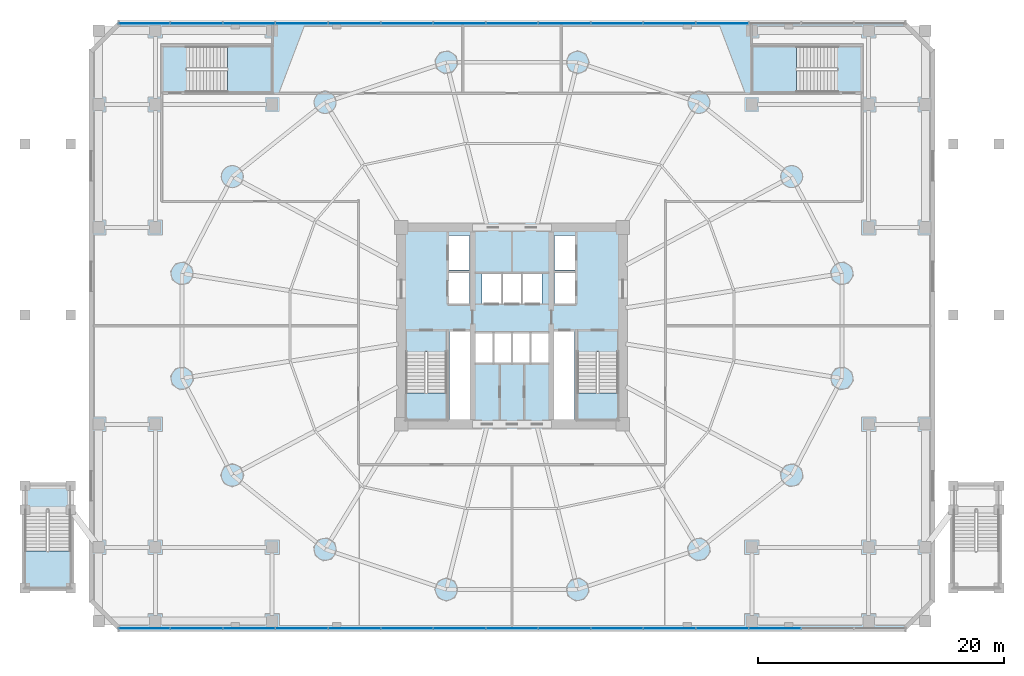
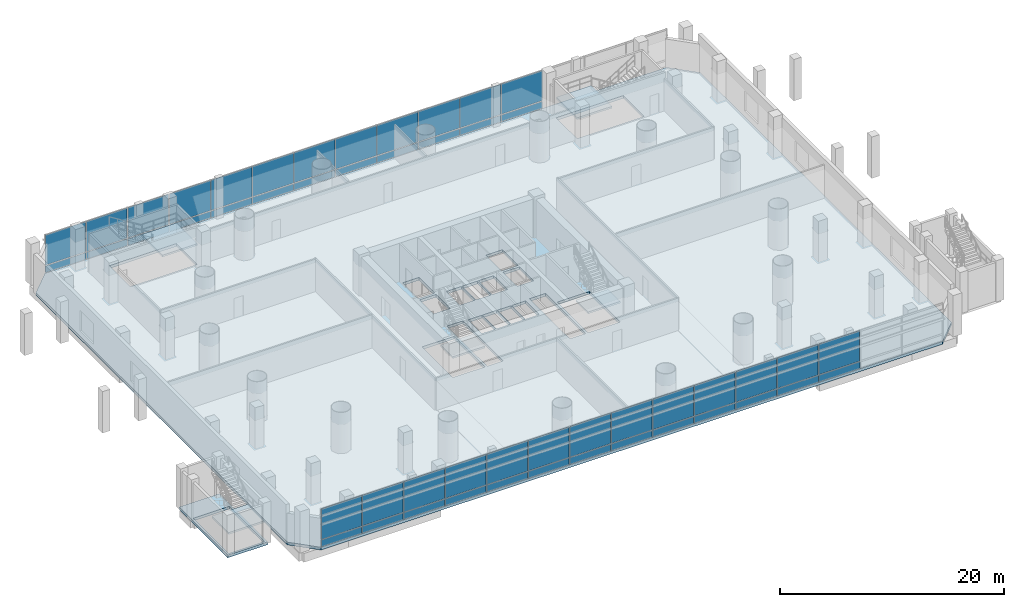
# One storey, part 19 of 36: 50 plates, 7 slabs, 7 elements without a shape of their own.
"""IFC4 building model written with IfcOpenShell, lengths in metres."""

import ifcopenshell
import ifcopenshell.guid

model = None  # the IFC model being written
_history = None  # IfcOwnerHistory: only IFC2X3 demands one
_inside = {}  # id of a spatial element -> (the spatial element, [elements in it])
_under = {}  # id of a project, library or spatial element -> (it, [spatial elements below it])
_declared = {}  # id of a project -> (the project, [libraries it declares])
_typed = {}  # id of a type object -> (the type object, [elements of that type])
_made_of = {}  # id of a material, layer set ... -> (it, [elements and type objects made of it])


def new_model(schema):
    """Start an empty IFC model of exactly this schema.

    Asked for "IFC4X3", IfcOpenShell would pick the latest addendum, in which some entities
    have other attributes; the version numbers below select the first issue.
    IFC2X3 requires an IfcOwnerHistory on every rooted entity: one is made here for all.
    """
    global model, _history
    if schema == "IFC4X3":
        model = ifcopenshell.file(schema_version=(4, 3, 0, 0))
    else:
        model = ifcopenshell.file(schema=schema)
    _inside.clear()
    _under.clear()
    _declared.clear()
    _typed.clear()
    _made_of.clear()
    _history = None
    if model.schema == "IFC2X3":
        org = make("IfcOrganization", Name="unknown")
        user = make(
            "IfcPersonAndOrganization",
            ThePerson=make("IfcPerson", FamilyName="unknown"),
            TheOrganization=org,
        )
        app = make(
            "IfcApplication",
            ApplicationDeveloper=org,
            Version="unknown",
            ApplicationFullName="unknown",
            ApplicationIdentifier="unknown",
        )
        _history = make(
            "IfcOwnerHistory",
            OwningUser=user,
            OwningApplication=app,
            ChangeAction="ADDED",
            CreationDate=0,
        )
    return model


def make(cls, **values):
    """One entity of the class cls with the attributes given. An attribute that is None is left unset."""
    return model.create_entity(
        cls, **{name: value for name, value in values.items() if value is not None}
    )


def rooted(cls, **values):
    """An entity with a GlobalId (a new one), such as an element, a storey or a relation."""
    return make(cls, GlobalId=ifcopenshell.guid.new(), OwnerHistory=_history, **values)


def si_unit(unit_type, name, prefix=None):
    """IfcSIUnit, for example si_unit("LENGTHUNIT", "METRE", prefix="MILLI")."""
    return make("IfcSIUnit", UnitType=unit_type, Prefix=prefix, Name=name)


def assignment(units):
    """IfcUnitAssignment: the units of a project."""
    return None if units is None else make("IfcUnitAssignment", Units=units)


def point(xyz):
    """IfcCartesianPoint."""
    return None if xyz is None else make("IfcCartesianPoint", Coordinates=xyz)


def direction(xyz):
    """IfcDirection."""
    return None if xyz is None else make("IfcDirection", DirectionRatios=xyz)


def frame(location, z_axis=None, x_axis=None):
    """IfcAxis2Placement3D, a coordinate frame: its origin and axes. An axis left out is left unset."""
    return make(
        "IfcAxis2Placement3D",
        Location=point(location),
        Axis=direction(z_axis),
        RefDirection=direction(x_axis),
    )


def frame_2d(location, x_axis=None):
    """IfcAxis2Placement2D, a coordinate frame in the plane: its origin and x axis."""
    return make(
        "IfcAxis2Placement2D", Location=point(location), RefDirection=direction(x_axis)
    )


def origin():
    """The frame at (0, 0, 0) with its axes left unset."""
    return frame((0.0, 0.0, 0.0))


def origin_2d():
    """The frame at (0, 0) in the plane with its x axis left unset."""
    return frame_2d((0.0, 0.0))


def place(relative_to, where):
    """IfcLocalPlacement: puts the frame where relative to a parent placement (None: the world)."""
    return make(
        "IfcLocalPlacement", PlacementRelTo=relative_to, RelativePlacement=where
    )


def context(
    kind, dimensions, precision=None, world=None, true_north=None, identifier=None
):
    """IfcGeometricRepresentationContext, for example the 3D "Model" context."""
    return make(
        "IfcGeometricRepresentationContext",
        ContextIdentifier=identifier,
        ContextType=kind,
        CoordinateSpaceDimension=dimensions,
        Precision=precision,
        WorldCoordinateSystem=world,
        TrueNorth=true_north,
    )


def subcontext(parent, identifier, kind, view, scale=None):
    """IfcGeometricRepresentationSubContext, for example "Body" below "Model"."""
    return make(
        "IfcGeometricRepresentationSubContext",
        ContextIdentifier=identifier,
        ContextType=kind,
        ParentContext=parent,
        TargetScale=scale,
        TargetView=view,
    )


def project(units=None, contexts=None):
    """IfcProject with its units and contexts."""
    return rooted(
        "IfcProject",
        Name="project",
        RepresentationContexts=contexts,
        UnitsInContext=assignment(units),
    )


def spatial(cls, under=None, at=None, **own):
    """A site, building, storey or space (cls), placed at a placement, below another one or the project."""
    s = rooted(cls, ObjectPlacement=at, **own)
    if under is not None:
        _under.setdefault(under.id(), (under, []))[1].append(s)
    return s


def polyline(points):
    """IfcPolyline through the points."""
    return make("IfcPolyline", Points=[point(p) for p in points])


def profile(cls, at=None, kind="AREA", **sizes):
    """A parametric profile (cls). Its sizes go by their IFC names, for example OverallWidth=200.0."""
    return make(cls, ProfileType=kind, Position=at, **sizes)


def rectangle(**sizes):
    """IfcRectangleProfileDef."""
    return profile("IfcRectangleProfileDef", **sizes)


def outline(outer, holes=None, kind="AREA"):
    """IfcArbitraryClosedProfileDef: a profile drawn as a closed curve; with holes, ...WithVoids."""
    if holes is None:
        return make("IfcArbitraryClosedProfileDef", ProfileType=kind, OuterCurve=outer)
    return make(
        "IfcArbitraryProfileDefWithVoids",
        ProfileType=kind,
        OuterCurve=outer,
        InnerCurves=holes,
    )


def extrude(swept, where, along, depth):
    """IfcExtrudedAreaSolid: the profile swept, set in the frame where, extruded along a direction by depth."""
    return make(
        "IfcExtrudedAreaSolid",
        SweptArea=swept,
        Position=where,
        ExtrudedDirection=direction(along),
        Depth=depth,
    )


def shape(context_of_items, identifier, shape_type, items):
    """IfcShapeRepresentation: the items that make up one representation, for example the "Body"."""
    return make(
        "IfcShapeRepresentation",
        ContextOfItems=context_of_items,
        RepresentationIdentifier=identifier,
        RepresentationType=shape_type,
        Items=items,
    )


def source(mapping_origin, context_of_items, identifier, shape_type, items):
    """IfcRepresentationMap: a shape defined once, which mapped items show again and again."""
    return make(
        "IfcRepresentationMap",
        MappingOrigin=mapping_origin,
        MappedRepresentation=shape(context_of_items, identifier, shape_type, items),
    )


def transform(
    local_origin,
    x_axis=None,
    y_axis=None,
    z_axis=None,
    scale=None,
    scale2=None,
    scale3=None,
    uniform=True,
):
    """IfcCartesianTransformationOperator3D, or its non-uniform kind. x_axis, y_axis, z_axis: its Axis1, 2, 3."""
    if uniform:
        return make(
            "IfcCartesianTransformationOperator3D",
            Axis1=direction(x_axis),
            Axis2=direction(y_axis),
            LocalOrigin=point(local_origin),
            Scale=scale,
            Axis3=direction(z_axis),
        )
    return make(
        "IfcCartesianTransformationOperator3DnonUniform",
        Axis1=direction(x_axis),
        Axis2=direction(y_axis),
        LocalOrigin=point(local_origin),
        Scale=scale,
        Axis3=direction(z_axis),
        Scale2=scale2,
        Scale3=scale3,
    )


def mapped(mapping_source, mapping_target):
    """IfcMappedItem: shows the shape of a source again, moved by a transform."""
    return make(
        "IfcMappedItem", MappingSource=mapping_source, MappingTarget=mapping_target
    )


def material(Name=None, Category=None):
    """IfcMaterial."""
    return make("IfcMaterial", Name=Name, Category=Category)


def layer(
    of_material, thickness, ventilated=None, Name=None, Category=None, Priority=None
):
    """IfcMaterialLayer: one layer of a wall or slab, of a material (None: an air gap)."""
    return make(
        "IfcMaterialLayer",
        Material=of_material,
        LayerThickness=thickness,
        IsVentilated=ventilated,
        Name=Name,
        Category=Category,
        Priority=Priority,
    )


def layer_set(layers, Name=None):
    """IfcMaterialLayerSet."""
    return make("IfcMaterialLayerSet", MaterialLayers=layers, LayerSetName=Name)


def made_of(thing, what):
    """Note that an element or type object is made of a material, layer set ...; save() writes the relation."""
    if what is not None:
        _made_of.setdefault(what.id(), (what, []))[1].append(thing)
    return thing


def type_object(cls, material=None, **own):
    """A type object (cls), such as IfcWallType, which elements share."""
    return made_of(rooted(cls, **own), material)


def element(
    cls,
    number,
    at=None,
    inside=None,
    cuts=None,
    type_object=None,
    material=None,
    context=None,
    identifier="Body",
    shape_type=None,
    held_by="IfcProductDefinitionShape",
    body=None,
    shapes=None,
    **own,
):
    """One element of the class cls, such as IfcWall. Its Tag is "e" and its number.

    at: its placement. inside: the storey or other place that contains it. cuts: it is an
    opening in that element (IfcRelVoidsElement). A single representation is given by context,
    identifier, shape_type and body (its items); several are given by shapes. held_by: the class
    of the entity that holds the representations. save() writes the other relations.
    """
    e = rooted(cls, Tag="e%d" % number, ObjectPlacement=at, **own)
    if body is not None:
        shapes = [shape(context, identifier, shape_type, body)]
    if shapes is not None:
        e.Representation = make(held_by, Representations=shapes)
    if inside is not None:
        _inside.setdefault(inside.id(), (inside, []))[1].append(e)
    if cuts is not None:
        rooted(
            "IfcRelVoidsElement", RelatingBuildingElement=cuts, RelatedOpeningElement=e
        )
    if type_object is not None:
        _typed.setdefault(type_object.id(), (type_object, []))[1].append(e)
    return made_of(e, material)


def aggregate(whole, parts):
    """IfcRelAggregates: a whole, such as a stair, and the parts it consists of."""
    return rooted("IfcRelAggregates", RelatingObject=whole, RelatedObjects=parts)


def save(model, path):
    """Write the relations noted so far, then the file.

    IfcRelAggregates (storeys below a building ...), IfcRelContainedInSpatialStructure (elements
    in a storey), IfcRelDefinesByType, IfcRelAssociatesMaterial and IfcRelDeclares: one each for
    every whole, place, type object, material and project.
    """
    for whole, parts in _under.values():
        aggregate(whole, parts)
    for where, things in _inside.values():
        rooted(
            "IfcRelContainedInSpatialStructure",
            RelatedElements=things,
            RelatingStructure=where,
        )
    for kind, things in _typed.values():
        rooted("IfcRelDefinesByType", RelatedObjects=things, RelatingType=kind)
    for what, things in _made_of.values():
        rooted("IfcRelAssociatesMaterial", RelatedObjects=things, RelatingMaterial=what)
    for by, libraries in _declared.values():
        rooted("IfcRelDeclares", RelatingContext=by, RelatedDefinitions=libraries)
    model.write(path)


model = new_model("IFC4")

# Units and contexts
model_context = context("Model", 3, precision=1e-05, world=origin(), true_north=direction((-0.2419218956, 0.970295726276)))
body_context = subcontext(model_context, "Body", "Model", "MODEL_VIEW")
ifc_project = project(units=[si_unit("LENGTHUNIT", "METRE"), si_unit("AREAUNIT", "SQUARE_METRE"), si_unit("VOLUMEUNIT", "CUBIC_METRE"), si_unit("PLANEANGLEUNIT", "RADIAN"), si_unit("MASSUNIT", "GRAM", prefix="KILO")], contexts=[model_context])

# Site, building, storey
site_placement = place(None, origin())
site = spatial("IfcSite", under=ifc_project, at=site_placement, CompositionType="ELEMENT")
building_placement = place(site_placement, origin())
building = spatial("IfcBuilding", under=site, at=building_placement, Name="Cobrevalo Terracotta Tower", CompositionType="ELEMENT")
storey_placement = place(building_placement, frame((0.0, 0.0, 9.89990234375)))
storey = spatial("IfcBuildingStorey", under=building, at=storey_placement, Name="L02", CompositionType="ELEMENT", Elevation=9.89990234375)

# Slabs
ifc_material_1 = material(Name="Concrete C50", Category="concrete")
ifc_layer_1 = layer(ifc_material_1, 0.300048828125)
ifc_layer_set_1 = layer_set([ifc_layer_1], Name="Concrete C50")
slab_type_1 = type_object("IfcSlabType", Name="Podium L01-L03 floor slab 300 mm", PredefinedType="FLOOR", material=ifc_layer_set_1)
slab_1_placement = place(storey_placement, frame((0.0, 0.0, -0.2998046875)))
element("IfcSlab", 1, at=slab_1_placement, inside=storey, type_object=slab_type_1, Name="L02 podium indoor floor slab", PredefinedType="FLOOR", context=body_context, shape_type="SweptSolid", body=[
    extrude(outline(polyline([(3.800048828125, 4.39990234375), (3.800048828125, 49.199951171875), (6.0, 51.39990234375), (70.0, 51.39990234375), (72.199951171875, 49.199951171875), (72.199951171875, 4.39990234375), (70.0, 2.199951171875), (6.0, 2.199951171875), (3.800048828125, 4.39990234375)]), holes=[polyline([(29.375, 19.175048828125), (32.695068359375, 19.175048828125), (32.695068359375, 24.659912109375), (29.375, 24.659912109375), (29.375, 19.175048828125)]), polyline([(34.574951171875, 19.175048828125), (34.574951171875, 26.360107421875), (32.919921875, 26.360107421875), (32.919921875, 19.175048828125), (34.574951171875, 19.175048828125)]), polyline([(36.47998046875, 23.800048828125), (36.47998046875, 26.25), (35.050048828125, 26.25), (35.050048828125, 23.800048828125), (36.47998046875, 23.800048828125)]), polyline([(37.9599609375, 23.800048828125), (37.9599609375, 26.25), (36.530029296875, 26.25), (36.530029296875, 23.800048828125), (37.9599609375, 23.800048828125)]), polyline([(37.1201171875, 28.60009765625), (37.1201171875, 31.050048828125), (35.550048828125, 31.050048828125), (35.550048828125, 28.60009765625), (37.1201171875, 28.60009765625)]), polyline([(38.780029296875, 28.60009765625), (38.780029296875, 31.050048828125), (37.219970703125, 31.050048828125), (37.219970703125, 28.60009765625), (38.780029296875, 28.60009765625)]), polyline([(34.550048828125, 28.60009765625), (34.550048828125, 31.10009765625), (32.85009765625, 31.10009765625), (32.85009765625, 28.60009765625), (34.550048828125, 28.60009765625)]), polyline([(34.550048828125, 31.35009765625), (34.550048828125, 34.14990234375), (32.85009765625, 34.14990234375), (32.85009765625, 31.35009765625), (34.550048828125, 31.35009765625)]), polyline([(18.449951171875, 45.800048828125), (18.449951171875, 49.52001953125), (11.5400390625, 49.52001953125), (11.5400390625, 45.800048828125), (18.449951171875, 45.800048828125)]), polyline([(43.304931640625, 19.175048828125), (46.625, 19.175048828125), (46.625, 24.659912109375), (43.304931640625, 24.659912109375), (43.304931640625, 19.175048828125)]), polyline([(43.080078125, 19.175048828125), (43.080078125, 26.360107421875), (41.425048828125, 26.360107421875), (41.425048828125, 19.175048828125), (43.080078125, 19.175048828125)]), polyline([(39.469970703125, 23.800048828125), (39.469970703125, 26.25), (38.0400390625, 26.25), (38.0400390625, 23.800048828125), (39.469970703125, 23.800048828125)]), polyline([(40.949951171875, 23.800048828125), (40.949951171875, 26.25), (39.52001953125, 26.25), (39.52001953125, 23.800048828125), (40.949951171875, 23.800048828125)]), polyline([(40.449951171875, 28.60009765625), (40.449951171875, 31.050048828125), (38.8798828125, 31.050048828125), (38.8798828125, 28.60009765625), (40.449951171875, 28.60009765625)]), polyline([(43.14990234375, 28.60009765625), (43.14990234375, 31.10009765625), (41.449951171875, 31.10009765625), (41.449951171875, 28.60009765625), (43.14990234375, 28.60009765625)]), polyline([(41.449951171875, 31.35009765625), (43.14990234375, 31.35009765625), (43.14990234375, 34.14990234375), (41.449951171875, 34.14990234375), (41.449951171875, 31.35009765625)]), polyline([(64.4599609375, 49.52001953125), (57.550048828125, 49.52001953125), (57.550048828125, 45.800048828125), (64.4599609375, 45.800048828125), (64.4599609375, 49.52001953125)])]), origin(), (0.0, 0.0, 1.0), 0.2998046875),
])
slab_2_placement = place(storey_placement, frame((0.0, 0.0, -0.2998046875)))
element("IfcSlab", 2, at=slab_2_placement, inside=storey, type_object=slab_type_1, Name="L02 West monumental raised-garden stair structural floor landing slab", PredefinedType="FLOOR", context=body_context, shape_type="SweptSolid", body=[
    extrude(outline(polyline([(-1.800048828125, 13.949951171875), (2.320068359375, 13.949951171875), (2.320068359375, 5.300048828125), (-1.800048828125, 5.300048828125), (-1.800048828125, 13.949951171875)]), holes=[polyline([(-1.60009765625, 5.5), (2.1201171875, 5.5), (2.1201171875, 11.800048828125), (-1.60009765625, 11.800048828125), (-1.60009765625, 5.5)])]), origin(), (0.0, 0.0, 1.0), 0.2998046875),
])

# Stair, slab
stair_type_1 = type_object("IfcStairType", Name="Core protected escape dogleg stair 1600", PredefinedType="HALF_TURN_STAIR", material=ifc_material_1)
stair_1_placement = place(storey_placement, origin())
stair_1 = element("IfcStair", 3, at=stair_1_placement, inside=storey, type_object=stair_type_1, Name="L02 Protected exit stair ST-1", PredefinedType="HALF_TURN_STAIR")
ifc_layer_2 = layer(ifc_material_1, 0.199951171875)
ifc_layer_set_2 = layer_set([ifc_layer_2], Name="Concrete C50")
slab_type_2 = type_object("IfcSlabType", Name="Reinforced Concrete Stair Landing 200", PredefinedType="LANDING", material=ifc_layer_set_2)
slab_3_placement = place(storey_placement, frame((0.0, 0.0, 2.050048828125)))
slab_3 = element("IfcSlab", 4, at=slab_3_placement, type_object=slab_type_2, Name="ST-1 landing 1", PredefinedType="LANDING", context=body_context, shape_type="SweptSolid", body=[
    extrude(outline(polyline([(29.375, 21.340087890625), (29.375, 19.175048828125), (32.695068359375, 19.175048828125), (32.695068359375, 21.340087890625), (29.375, 21.340087890625)])), origin(), (0.0, 0.0, 1.0), 0.199951171875),
])
aggregate(stair_1, [slab_3])

stair_2_placement = place(storey_placement, origin())
stair_2 = element("IfcStair", 5, at=stair_2_placement, inside=storey, type_object=stair_type_1, Name="L02 Protected exit stair ST-2", PredefinedType="HALF_TURN_STAIR")
slab_4_placement = place(storey_placement, frame((0.0, 0.0, 2.050048828125)))
slab_4 = element("IfcSlab", 6, at=slab_4_placement, type_object=slab_type_2, Name="ST-2 landing 1", PredefinedType="LANDING", context=body_context, shape_type="SweptSolid", body=[
    extrude(outline(polyline([(43.304931640625, 21.340087890625), (43.304931640625, 19.175048828125), (46.625, 19.175048828125), (46.625, 21.340087890625), (43.304931640625, 21.340087890625)])), origin(), (0.0, 0.0, 1.0), 0.199951171875),
])
aggregate(stair_2, [slab_4])

stair_type_2 = type_object("IfcStairType", Name="Podium concourse escape dogleg stair 1800", PredefinedType="HALF_TURN_STAIR", material=ifc_material_1)
stair_3_placement = place(storey_placement, origin())
stair_3 = element("IfcStair", 7, at=stair_3_placement, inside=storey, type_object=stair_type_2, Name="L02 Protected exit stair ST-P1", PredefinedType="HALF_TURN_STAIR")
slab_5_placement = place(storey_placement, frame((0.0, 0.0, 2.050048828125)))
slab_5 = element("IfcSlab", 8, at=slab_5_placement, type_object=slab_type_2, Name="ST-P1 landing 1", PredefinedType="LANDING", context=body_context, shape_type="SweptSolid", body=[
    extrude(outline(polyline([(14.860107421875, 45.800048828125), (18.449951171875, 45.800048828125), (18.449951171875, 49.52001953125), (14.860107421875, 49.52001953125), (14.860107421875, 45.800048828125)])), origin(), (0.0, 0.0, 1.0), 0.199951171875),
])
aggregate(stair_3, [slab_5])

stair_4_placement = place(storey_placement, origin())
stair_4 = element("IfcStair", 9, at=stair_4_placement, inside=storey, type_object=stair_type_2, Name="L02 Protected exit stair ST-P2", PredefinedType="HALF_TURN_STAIR")
slab_6_placement = place(storey_placement, frame((0.0, 0.0, 2.050048828125)))
slab_6 = element("IfcSlab", 10, at=slab_6_placement, type_object=slab_type_2, Name="ST-P2 landing 1", PredefinedType="LANDING", context=body_context, shape_type="SweptSolid", body=[
    extrude(outline(polyline([(61.139892578125, 49.52001953125), (57.550048828125, 49.52001953125), (57.550048828125, 45.800048828125), (61.139892578125, 45.800048828125), (61.139892578125, 49.52001953125)])), origin(), (0.0, 0.0, 1.0), 0.199951171875),
])
aggregate(stair_4, [slab_6])

ifc_material_2 = material(Name="Precast concrete C45", Category="concrete")
stair_type_3 = type_object("IfcStairType", Name="Monumental raised-garden dogleg stair 1850", PredefinedType="HALF_TURN_STAIR", material=ifc_material_2)
stair_5_placement = place(storey_placement, origin())
stair_5 = element("IfcStair", 11, at=stair_5_placement, inside=storey, type_object=stair_type_3, Name="L02 West monumental raised-garden stair", PredefinedType="HALF_TURN_STAIR")
slab_7_placement = place(storey_placement, frame((0.0, 0.0, 2.050048828125)))
slab_7 = element("IfcSlab", 12, at=slab_7_placement, type_object=slab_type_2, Name="ST-EXT-W landing 1", PredefinedType="LANDING", context=body_context, shape_type="SweptSolid", body=[
    extrude(outline(polyline([(-1.60009765625, 8.489990234375), (-1.60009765625, 5.5), (2.1201171875, 5.5), (2.1201171875, 8.489990234375), (-1.60009765625, 8.489990234375)])), origin(), (0.0, 0.0, 1.0), 0.199951171875),
])
aggregate(stair_5, [slab_7])

# Curtain wall, plate
ifc_material_3 = material(Name="Anodized aluminium", Category="aluminium")
curtain_wall_type = type_object("IfcCurtainWallType", Name="Podium gallery & conservatory curtain wall CW-S2", PredefinedType="NOTDEFINED", material=ifc_material_3)
curtain_wall_1_placement = place(storey_placement, origin())
curtain_wall_1 = element("IfcCurtainWall", 13, at=curtain_wall_1_placement, inside=storey, type_object=curtain_wall_type, Name="L02 curtain wall CW-POD-L02-S", PredefinedType="NOTDEFINED")
ifc_material_4 = material(Name="Terracotta-faced insulated spandrel", Category="masonry")
ifc_layer_3 = layer(ifc_material_4, 0.044921875)
ifc_layer_set_3 = layer_set([ifc_layer_3], Name="Terracotta-faced insulated spandrel")
plate_type_1 = type_object("IfcPlateType", Name="Insulated terracotta-faced spandrel cassette 45 mm", PredefinedType="CURTAIN_PANEL", material=ifc_layer_set_3)
shared_shape_1 = source(origin(), body_context, "Body", "SweptSolid", [
    extrude(rectangle(XDim=4.1533203125, YDim=0.044921875, at=origin_2d()), origin(), (0.0, 0.0, 1.0), 0.739990234375),
])
plate_1_placement = place(storey_placement, frame((8.106689453125, 2.199951171875, 0.0400390625), z_axis=(0.0, 0.0, 1.0), x_axis=(1.0, 0.0, 0.0)))
plate_1 = element("IfcPlate", 14, at=plate_1_placement, type_object=plate_type_1, Name="CW-POD-L02-S terracotta spandrel panel B01", PredefinedType="CURTAIN_PANEL", context=body_context, shape_type="MappedRepresentation", body=[
    mapped(shared_shape_1, transform((0.0, 0.0, 0.0), scale=1.0)),
])

curtain_wall_2_placement = place(storey_placement, origin())
curtain_wall_2 = element("IfcCurtainWall", 15, at=curtain_wall_2_placement, inside=storey, type_object=curtain_wall_type, Name="L02 curtain wall CW-POD-L02-N", PredefinedType="NOTDEFINED")
plate_2_placement = place(storey_placement, frame((8.106689453125, 51.39990234375, 0.0400390625), z_axis=(0.0, 0.0, 1.0), x_axis=(-1.0, 0.0, 0.0)))
plate_2 = element("IfcPlate", 16, at=plate_2_placement, type_object=plate_type_1, Name="CW-POD-L02-N terracotta spandrel panel B15", PredefinedType="CURTAIN_PANEL", context=body_context, shape_type="MappedRepresentation", body=[
    mapped(shared_shape_1, transform((0.0, 0.0, 0.0), scale=1.0)),
])

# Plate
ifc_material_5 = material(Name="Laminated low-E double glazing", Category="glass")
ifc_layer_4 = layer(ifc_material_5, 0.031982421875)
ifc_layer_set_4 = layer_set([ifc_layer_4], Name="Laminated low-E double glazing")
plate_type_2 = type_object("IfcPlateType", Name="Podium clear acoustic laminated glazing panel 32 mm", PredefinedType="CURTAIN_PANEL", material=ifc_layer_set_4)
shared_shape_2 = source(origin(), body_context, "Body", "SweptSolid", [
    extrude(rectangle(XDim=4.1533203125, YDim=0.035888671875, at=origin_2d()), origin(), (0.0, 0.0, 1.0), 3.300048828125),
])
plate_3_placement = place(storey_placement, frame((8.106689453125, 2.199951171875, 0.85986328125), z_axis=(0.0, 0.0, 1.0), x_axis=(1.0, 0.0, 0.0)))
plate_3 = element("IfcPlate", 17, at=plate_3_placement, type_object=plate_type_2, Name="CW-POD-L02-S glazing panel B01", PredefinedType="CURTAIN_PANEL", context=body_context, shape_type="MappedRepresentation", body=[
    mapped(shared_shape_2, transform((0.0, 0.0, 0.0), scale=1.0)),
])

plate_4_placement = place(storey_placement, frame((8.106689453125, 51.39990234375, 0.85986328125), z_axis=(0.0, 0.0, 1.0), x_axis=(-1.0, 0.0, 0.0)))
plate_4 = element("IfcPlate", 18, at=plate_4_placement, type_object=plate_type_2, Name="CW-POD-L02-N glazing panel B15", PredefinedType="CURTAIN_PANEL", context=body_context, shape_type="MappedRepresentation", body=[
    mapped(shared_shape_2, transform((0.0, 0.0, 0.0), scale=1.0)),
])

shared_shape_3 = source(origin(), body_context, "Body", "SweptSolid", [
    extrude(rectangle(XDim=4.193359375, YDim=0.044921875, at=origin_2d()), origin(), (0.0, 0.0, 1.0), 0.739990234375),
])
plate_5_placement = place(storey_placement, frame((12.360107421875, 2.199951171875, 0.0400390625), z_axis=(0.0, 0.0, 1.0), x_axis=(1.0, 0.0, 0.0)))
plate_5 = element("IfcPlate", 19, at=plate_5_placement, type_object=plate_type_1, Name="CW-POD-L02-S terracotta spandrel panel B02", PredefinedType="CURTAIN_PANEL", context=body_context, shape_type="MappedRepresentation", body=[
    mapped(shared_shape_3, transform((0.0, 0.0, 0.0), scale=1.0)),
])

plate_6_placement = place(storey_placement, frame((16.63330078125, 2.199951171875, 0.0400390625), z_axis=(0.0, 0.0, 1.0), x_axis=(1.0, 0.0, 0.0)))
plate_6 = element("IfcPlate", 20, at=plate_6_placement, type_object=plate_type_1, Name="CW-POD-L02-S terracotta spandrel panel B03", PredefinedType="CURTAIN_PANEL", context=body_context, shape_type="MappedRepresentation", body=[
    mapped(shared_shape_3, transform((0.0, 0.0, 0.0), scale=1.0)),
])

plate_7_placement = place(storey_placement, frame((20.90673828125, 2.199951171875, 0.0400390625), z_axis=(0.0, 0.0, 1.0), x_axis=(1.0, 0.0, 0.0)))
plate_7 = element("IfcPlate", 21, at=plate_7_placement, type_object=plate_type_1, Name="CW-POD-L02-S terracotta spandrel panel B04", PredefinedType="CURTAIN_PANEL", context=body_context, shape_type="MappedRepresentation", body=[
    mapped(shared_shape_3, transform((0.0, 0.0, 0.0), scale=1.0)),
])

plate_8_placement = place(storey_placement, frame((25.179931640625, 2.199951171875, 0.0400390625), z_axis=(0.0, 0.0, 1.0), x_axis=(1.0, 0.0, 0.0)))
plate_8 = element("IfcPlate", 22, at=plate_8_placement, type_object=plate_type_1, Name="CW-POD-L02-S terracotta spandrel panel B05", PredefinedType="CURTAIN_PANEL", context=body_context, shape_type="MappedRepresentation", body=[
    mapped(shared_shape_3, transform((0.0, 0.0, 0.0), scale=1.0)),
])

plate_9_placement = place(storey_placement, frame((29.453369140625, 2.199951171875, 0.0400390625), z_axis=(0.0, 0.0, 1.0), x_axis=(1.0, 0.0, 0.0)))
plate_9 = element("IfcPlate", 23, at=plate_9_placement, type_object=plate_type_1, Name="CW-POD-L02-S terracotta spandrel panel B06", PredefinedType="CURTAIN_PANEL", context=body_context, shape_type="MappedRepresentation", body=[
    mapped(shared_shape_3, transform((0.0, 0.0, 0.0), scale=1.0)),
])

plate_10_placement = place(storey_placement, frame((33.7265625, 2.199951171875, 0.0400390625), z_axis=(0.0, 0.0, 1.0), x_axis=(1.0, 0.0, 0.0)))
plate_10 = element("IfcPlate", 24, at=plate_10_placement, type_object=plate_type_1, Name="CW-POD-L02-S terracotta spandrel panel B07", PredefinedType="CURTAIN_PANEL", context=body_context, shape_type="MappedRepresentation", body=[
    mapped(shared_shape_3, transform((0.0, 0.0, 0.0), scale=1.0)),
])

plate_11_placement = place(storey_placement, frame((38.0, 2.199951171875, 0.0400390625), z_axis=(0.0, 0.0, 1.0), x_axis=(1.0, 0.0, 0.0)))
plate_11 = element("IfcPlate", 25, at=plate_11_placement, type_object=plate_type_1, Name="CW-POD-L02-S terracotta spandrel panel B08", PredefinedType="CURTAIN_PANEL", context=body_context, shape_type="MappedRepresentation", body=[
    mapped(shared_shape_3, transform((0.0, 0.0, 0.0), scale=1.0)),
])

plate_12_placement = place(storey_placement, frame((42.2734375, 2.199951171875, 0.0400390625), z_axis=(0.0, 0.0, 1.0), x_axis=(1.0, 0.0, 0.0)))
plate_12 = element("IfcPlate", 26, at=plate_12_placement, type_object=plate_type_1, Name="CW-POD-L02-S terracotta spandrel panel B09", PredefinedType="CURTAIN_PANEL", context=body_context, shape_type="MappedRepresentation", body=[
    mapped(shared_shape_3, transform((0.0, 0.0, 0.0), scale=1.0)),
])

plate_13_placement = place(storey_placement, frame((46.546630859375, 2.199951171875, 0.0400390625), z_axis=(0.0, 0.0, 1.0), x_axis=(1.0, 0.0, 0.0)))
plate_13 = element("IfcPlate", 27, at=plate_13_placement, type_object=plate_type_1, Name="CW-POD-L02-S terracotta spandrel panel B10", PredefinedType="CURTAIN_PANEL", context=body_context, shape_type="MappedRepresentation", body=[
    mapped(shared_shape_3, transform((0.0, 0.0, 0.0), scale=1.0)),
])

plate_14_placement = place(storey_placement, frame((50.820068359375, 2.199951171875, 0.0400390625), z_axis=(0.0, 0.0, 1.0), x_axis=(1.0, 0.0, 0.0)))
plate_14 = element("IfcPlate", 28, at=plate_14_placement, type_object=plate_type_1, Name="CW-POD-L02-S terracotta spandrel panel B11", PredefinedType="CURTAIN_PANEL", context=body_context, shape_type="MappedRepresentation", body=[
    mapped(shared_shape_3, transform((0.0, 0.0, 0.0), scale=1.0)),
])

plate_15_placement = place(storey_placement, frame((55.09326171875, 2.199951171875, 0.0400390625), z_axis=(0.0, 0.0, 1.0), x_axis=(1.0, 0.0, 0.0)))
plate_15 = element("IfcPlate", 29, at=plate_15_placement, type_object=plate_type_1, Name="CW-POD-L02-S terracotta spandrel panel B12", PredefinedType="CURTAIN_PANEL", context=body_context, shape_type="MappedRepresentation", body=[
    mapped(shared_shape_3, transform((0.0, 0.0, 0.0), scale=1.0)),
])

plate_16_placement = place(storey_placement, frame((59.36669921875, 2.199951171875, 0.0400390625), z_axis=(0.0, 0.0, 1.0), x_axis=(1.0, 0.0, 0.0)))
plate_16 = element("IfcPlate", 30, at=plate_16_placement, type_object=plate_type_1, Name="CW-POD-L02-S terracotta spandrel panel B13", PredefinedType="CURTAIN_PANEL", context=body_context, shape_type="MappedRepresentation", body=[
    mapped(shared_shape_3, transform((0.0, 0.0, 0.0), scale=1.0)),
])

plate_17_placement = place(storey_placement, frame((55.09326171875, 51.39990234375, 0.0400390625), z_axis=(0.0, 0.0, 1.0), x_axis=(-1.0, 0.0, 0.0)))
plate_17 = element("IfcPlate", 31, at=plate_17_placement, type_object=plate_type_1, Name="CW-POD-L02-N terracotta spandrel panel B04", PredefinedType="CURTAIN_PANEL", context=body_context, shape_type="MappedRepresentation", body=[
    mapped(shared_shape_3, transform((0.0, 0.0, 0.0), scale=1.0)),
])

plate_18_placement = place(storey_placement, frame((50.820068359375, 51.39990234375, 0.0400390625), z_axis=(0.0, 0.0, 1.0), x_axis=(-1.0, 0.0, 0.0)))
plate_18 = element("IfcPlate", 32, at=plate_18_placement, type_object=plate_type_1, Name="CW-POD-L02-N terracotta spandrel panel B05", PredefinedType="CURTAIN_PANEL", context=body_context, shape_type="MappedRepresentation", body=[
    mapped(shared_shape_3, transform((0.0, 0.0, 0.0), scale=1.0)),
])

plate_19_placement = place(storey_placement, frame((46.546630859375, 51.39990234375, 0.0400390625), z_axis=(0.0, 0.0, 1.0), x_axis=(-1.0, 0.0, 0.0)))
plate_19 = element("IfcPlate", 33, at=plate_19_placement, type_object=plate_type_1, Name="CW-POD-L02-N terracotta spandrel panel B06", PredefinedType="CURTAIN_PANEL", context=body_context, shape_type="MappedRepresentation", body=[
    mapped(shared_shape_3, transform((0.0, 0.0, 0.0), scale=1.0)),
])

plate_20_placement = place(storey_placement, frame((42.2734375, 51.39990234375, 0.0400390625), z_axis=(0.0, 0.0, 1.0), x_axis=(-1.0, 0.0, 0.0)))
plate_20 = element("IfcPlate", 34, at=plate_20_placement, type_object=plate_type_1, Name="CW-POD-L02-N terracotta spandrel panel B07", PredefinedType="CURTAIN_PANEL", context=body_context, shape_type="MappedRepresentation", body=[
    mapped(shared_shape_3, transform((0.0, 0.0, 0.0), scale=1.0)),
])

plate_21_placement = place(storey_placement, frame((38.0, 51.39990234375, 0.0400390625), z_axis=(0.0, 0.0, 1.0), x_axis=(-1.0, 0.0, 0.0)))
plate_21 = element("IfcPlate", 35, at=plate_21_placement, type_object=plate_type_1, Name="CW-POD-L02-N terracotta spandrel panel B08", PredefinedType="CURTAIN_PANEL", context=body_context, shape_type="MappedRepresentation", body=[
    mapped(shared_shape_3, transform((0.0, 0.0, 0.0), scale=1.0)),
])

plate_22_placement = place(storey_placement, frame((33.7265625, 51.39990234375, 0.0400390625), z_axis=(0.0, 0.0, 1.0), x_axis=(-1.0, 0.0, 0.0)))
plate_22 = element("IfcPlate", 36, at=plate_22_placement, type_object=plate_type_1, Name="CW-POD-L02-N terracotta spandrel panel B09", PredefinedType="CURTAIN_PANEL", context=body_context, shape_type="MappedRepresentation", body=[
    mapped(shared_shape_3, transform((0.0, 0.0, 0.0), scale=1.0)),
])

plate_23_placement = place(storey_placement, frame((29.453369140625, 51.39990234375, 0.0400390625), z_axis=(0.0, 0.0, 1.0), x_axis=(-1.0, 0.0, 0.0)))
plate_23 = element("IfcPlate", 37, at=plate_23_placement, type_object=plate_type_1, Name="CW-POD-L02-N terracotta spandrel panel B10", PredefinedType="CURTAIN_PANEL", context=body_context, shape_type="MappedRepresentation", body=[
    mapped(shared_shape_3, transform((0.0, 0.0, 0.0), scale=1.0)),
])

plate_24_placement = place(storey_placement, frame((25.179931640625, 51.39990234375, 0.0400390625), z_axis=(0.0, 0.0, 1.0), x_axis=(-1.0, 0.0, 0.0)))
plate_24 = element("IfcPlate", 38, at=plate_24_placement, type_object=plate_type_1, Name="CW-POD-L02-N terracotta spandrel panel B11", PredefinedType="CURTAIN_PANEL", context=body_context, shape_type="MappedRepresentation", body=[
    mapped(shared_shape_3, transform((0.0, 0.0, 0.0), scale=1.0)),
])

plate_25_placement = place(storey_placement, frame((20.90673828125, 51.39990234375, 0.0400390625), z_axis=(0.0, 0.0, 1.0), x_axis=(-1.0, 0.0, 0.0)))
plate_25 = element("IfcPlate", 39, at=plate_25_placement, type_object=plate_type_1, Name="CW-POD-L02-N terracotta spandrel panel B12", PredefinedType="CURTAIN_PANEL", context=body_context, shape_type="MappedRepresentation", body=[
    mapped(shared_shape_3, transform((0.0, 0.0, 0.0), scale=1.0)),
])

plate_26_placement = place(storey_placement, frame((16.63330078125, 51.39990234375, 0.0400390625), z_axis=(0.0, 0.0, 1.0), x_axis=(-1.0, 0.0, 0.0)))
plate_26 = element("IfcPlate", 40, at=plate_26_placement, type_object=plate_type_1, Name="CW-POD-L02-N terracotta spandrel panel B13", PredefinedType="CURTAIN_PANEL", context=body_context, shape_type="MappedRepresentation", body=[
    mapped(shared_shape_3, transform((0.0, 0.0, 0.0), scale=1.0)),
])

plate_27_placement = place(storey_placement, frame((12.360107421875, 51.39990234375, 0.0400390625), z_axis=(0.0, 0.0, 1.0), x_axis=(-1.0, 0.0, 0.0)))
plate_27 = element("IfcPlate", 41, at=plate_27_placement, type_object=plate_type_1, Name="CW-POD-L02-N terracotta spandrel panel B14", PredefinedType="CURTAIN_PANEL", context=body_context, shape_type="MappedRepresentation", body=[
    mapped(shared_shape_3, transform((0.0, 0.0, 0.0), scale=1.0)),
])

shared_shape_4 = source(origin(), body_context, "Body", "SweptSolid", [
    extrude(rectangle(XDim=4.193359375, YDim=0.035888671875, at=origin_2d()), origin(), (0.0, 0.0, 1.0), 3.300048828125),
])
plate_28_placement = place(storey_placement, frame((12.360107421875, 2.199951171875, 0.85986328125), z_axis=(0.0, 0.0, 1.0), x_axis=(1.0, 0.0, 0.0)))
plate_28 = element("IfcPlate", 42, at=plate_28_placement, type_object=plate_type_2, Name="CW-POD-L02-S glazing panel B02", PredefinedType="CURTAIN_PANEL", context=body_context, shape_type="MappedRepresentation", body=[
    mapped(shared_shape_4, transform((0.0, 0.0, 0.0), scale=1.0)),
])

plate_29_placement = place(storey_placement, frame((16.63330078125, 2.199951171875, 0.85986328125), z_axis=(0.0, 0.0, 1.0), x_axis=(1.0, 0.0, 0.0)))
plate_29 = element("IfcPlate", 43, at=plate_29_placement, type_object=plate_type_2, Name="CW-POD-L02-S glazing panel B03", PredefinedType="CURTAIN_PANEL", context=body_context, shape_type="MappedRepresentation", body=[
    mapped(shared_shape_4, transform((0.0, 0.0, 0.0), scale=1.0)),
])

plate_30_placement = place(storey_placement, frame((20.90673828125, 2.199951171875, 0.85986328125), z_axis=(0.0, 0.0, 1.0), x_axis=(1.0, 0.0, 0.0)))
plate_30 = element("IfcPlate", 44, at=plate_30_placement, type_object=plate_type_2, Name="CW-POD-L02-S glazing panel B04", PredefinedType="CURTAIN_PANEL", context=body_context, shape_type="MappedRepresentation", body=[
    mapped(shared_shape_4, transform((0.0, 0.0, 0.0), scale=1.0)),
])

plate_31_placement = place(storey_placement, frame((25.179931640625, 2.199951171875, 0.85986328125), z_axis=(0.0, 0.0, 1.0), x_axis=(1.0, 0.0, 0.0)))
plate_31 = element("IfcPlate", 45, at=plate_31_placement, type_object=plate_type_2, Name="CW-POD-L02-S glazing panel B05", PredefinedType="CURTAIN_PANEL", context=body_context, shape_type="MappedRepresentation", body=[
    mapped(shared_shape_4, transform((0.0, 0.0, 0.0), scale=1.0)),
])

plate_32_placement = place(storey_placement, frame((29.453369140625, 2.199951171875, 0.85986328125), z_axis=(0.0, 0.0, 1.0), x_axis=(1.0, 0.0, 0.0)))
plate_32 = element("IfcPlate", 46, at=plate_32_placement, type_object=plate_type_2, Name="CW-POD-L02-S glazing panel B06", PredefinedType="CURTAIN_PANEL", context=body_context, shape_type="MappedRepresentation", body=[
    mapped(shared_shape_4, transform((0.0, 0.0, 0.0), scale=1.0)),
])

plate_33_placement = place(storey_placement, frame((33.7265625, 2.199951171875, 0.85986328125), z_axis=(0.0, 0.0, 1.0), x_axis=(1.0, 0.0, 0.0)))
plate_33 = element("IfcPlate", 47, at=plate_33_placement, type_object=plate_type_2, Name="CW-POD-L02-S glazing panel B07", PredefinedType="CURTAIN_PANEL", context=body_context, shape_type="MappedRepresentation", body=[
    mapped(shared_shape_4, transform((0.0, 0.0, 0.0), scale=1.0)),
])

plate_34_placement = place(storey_placement, frame((38.0, 2.199951171875, 0.85986328125), z_axis=(0.0, 0.0, 1.0), x_axis=(1.0, 0.0, 0.0)))
plate_34 = element("IfcPlate", 48, at=plate_34_placement, type_object=plate_type_2, Name="CW-POD-L02-S glazing panel B08", PredefinedType="CURTAIN_PANEL", context=body_context, shape_type="MappedRepresentation", body=[
    mapped(shared_shape_4, transform((0.0, 0.0, 0.0), scale=1.0)),
])

plate_35_placement = place(storey_placement, frame((42.2734375, 2.199951171875, 0.85986328125), z_axis=(0.0, 0.0, 1.0), x_axis=(1.0, 0.0, 0.0)))
plate_35 = element("IfcPlate", 49, at=plate_35_placement, type_object=plate_type_2, Name="CW-POD-L02-S glazing panel B09", PredefinedType="CURTAIN_PANEL", context=body_context, shape_type="MappedRepresentation", body=[
    mapped(shared_shape_4, transform((0.0, 0.0, 0.0), scale=1.0)),
])

plate_36_placement = place(storey_placement, frame((46.546630859375, 2.199951171875, 0.85986328125), z_axis=(0.0, 0.0, 1.0), x_axis=(1.0, 0.0, 0.0)))
plate_36 = element("IfcPlate", 50, at=plate_36_placement, type_object=plate_type_2, Name="CW-POD-L02-S glazing panel B10", PredefinedType="CURTAIN_PANEL", context=body_context, shape_type="MappedRepresentation", body=[
    mapped(shared_shape_4, transform((0.0, 0.0, 0.0), scale=1.0)),
])

plate_37_placement = place(storey_placement, frame((50.820068359375, 2.199951171875, 0.85986328125), z_axis=(0.0, 0.0, 1.0), x_axis=(1.0, 0.0, 0.0)))
plate_37 = element("IfcPlate", 51, at=plate_37_placement, type_object=plate_type_2, Name="CW-POD-L02-S glazing panel B11", PredefinedType="CURTAIN_PANEL", context=body_context, shape_type="MappedRepresentation", body=[
    mapped(shared_shape_4, transform((0.0, 0.0, 0.0), scale=1.0)),
])

plate_38_placement = place(storey_placement, frame((55.09326171875, 2.199951171875, 0.85986328125), z_axis=(0.0, 0.0, 1.0), x_axis=(1.0, 0.0, 0.0)))
plate_38 = element("IfcPlate", 52, at=plate_38_placement, type_object=plate_type_2, Name="CW-POD-L02-S glazing panel B12", PredefinedType="CURTAIN_PANEL", context=body_context, shape_type="MappedRepresentation", body=[
    mapped(shared_shape_4, transform((0.0, 0.0, 0.0), scale=1.0)),
])

plate_39_placement = place(storey_placement, frame((59.36669921875, 2.199951171875, 0.85986328125), z_axis=(0.0, 0.0, 1.0), x_axis=(1.0, 0.0, 0.0)))
plate_39 = element("IfcPlate", 53, at=plate_39_placement, type_object=plate_type_2, Name="CW-POD-L02-S glazing panel B13", PredefinedType="CURTAIN_PANEL", context=body_context, shape_type="MappedRepresentation", body=[
    mapped(shared_shape_4, transform((0.0, 0.0, 0.0), scale=1.0)),
])

aggregate(curtain_wall_1, [plate_1, plate_3, plate_5, plate_28, plate_6, plate_29, plate_7, plate_30, plate_8, plate_31, plate_9, plate_32, plate_10, plate_33, plate_11, plate_34, plate_12, plate_35, plate_13, plate_36, plate_14, plate_37, plate_15, plate_38, plate_16, plate_39])

plate_40_placement = place(storey_placement, frame((55.09326171875, 51.39990234375, 0.85986328125), z_axis=(0.0, 0.0, 1.0), x_axis=(-1.0, 0.0, 0.0)))
plate_40 = element("IfcPlate", 54, at=plate_40_placement, type_object=plate_type_2, Name="CW-POD-L02-N glazing panel B04", PredefinedType="CURTAIN_PANEL", context=body_context, shape_type="MappedRepresentation", body=[
    mapped(shared_shape_4, transform((0.0, 0.0, 0.0), scale=1.0)),
])

plate_41_placement = place(storey_placement, frame((50.820068359375, 51.39990234375, 0.85986328125), z_axis=(0.0, 0.0, 1.0), x_axis=(-1.0, 0.0, 0.0)))
plate_41 = element("IfcPlate", 55, at=plate_41_placement, type_object=plate_type_2, Name="CW-POD-L02-N glazing panel B05", PredefinedType="CURTAIN_PANEL", context=body_context, shape_type="MappedRepresentation", body=[
    mapped(shared_shape_4, transform((0.0, 0.0, 0.0), scale=1.0)),
])

plate_42_placement = place(storey_placement, frame((46.546630859375, 51.39990234375, 0.85986328125), z_axis=(0.0, 0.0, 1.0), x_axis=(-1.0, 0.0, 0.0)))
plate_42 = element("IfcPlate", 56, at=plate_42_placement, type_object=plate_type_2, Name="CW-POD-L02-N glazing panel B06", PredefinedType="CURTAIN_PANEL", context=body_context, shape_type="MappedRepresentation", body=[
    mapped(shared_shape_4, transform((0.0, 0.0, 0.0), scale=1.0)),
])

plate_43_placement = place(storey_placement, frame((42.2734375, 51.39990234375, 0.85986328125), z_axis=(0.0, 0.0, 1.0), x_axis=(-1.0, 0.0, 0.0)))
plate_43 = element("IfcPlate", 57, at=plate_43_placement, type_object=plate_type_2, Name="CW-POD-L02-N glazing panel B07", PredefinedType="CURTAIN_PANEL", context=body_context, shape_type="MappedRepresentation", body=[
    mapped(shared_shape_4, transform((0.0, 0.0, 0.0), scale=1.0)),
])

plate_44_placement = place(storey_placement, frame((38.0, 51.39990234375, 0.85986328125), z_axis=(0.0, 0.0, 1.0), x_axis=(-1.0, 0.0, 0.0)))
plate_44 = element("IfcPlate", 58, at=plate_44_placement, type_object=plate_type_2, Name="CW-POD-L02-N glazing panel B08", PredefinedType="CURTAIN_PANEL", context=body_context, shape_type="MappedRepresentation", body=[
    mapped(shared_shape_4, transform((0.0, 0.0, 0.0), scale=1.0)),
])

plate_45_placement = place(storey_placement, frame((33.7265625, 51.39990234375, 0.85986328125), z_axis=(0.0, 0.0, 1.0), x_axis=(-1.0, 0.0, 0.0)))
plate_45 = element("IfcPlate", 59, at=plate_45_placement, type_object=plate_type_2, Name="CW-POD-L02-N glazing panel B09", PredefinedType="CURTAIN_PANEL", context=body_context, shape_type="MappedRepresentation", body=[
    mapped(shared_shape_4, transform((0.0, 0.0, 0.0), scale=1.0)),
])

plate_46_placement = place(storey_placement, frame((29.453369140625, 51.39990234375, 0.85986328125), z_axis=(0.0, 0.0, 1.0), x_axis=(-1.0, 0.0, 0.0)))
plate_46 = element("IfcPlate", 60, at=plate_46_placement, type_object=plate_type_2, Name="CW-POD-L02-N glazing panel B10", PredefinedType="CURTAIN_PANEL", context=body_context, shape_type="MappedRepresentation", body=[
    mapped(shared_shape_4, transform((0.0, 0.0, 0.0), scale=1.0)),
])

plate_47_placement = place(storey_placement, frame((25.179931640625, 51.39990234375, 0.85986328125), z_axis=(0.0, 0.0, 1.0), x_axis=(-1.0, 0.0, 0.0)))
plate_47 = element("IfcPlate", 61, at=plate_47_placement, type_object=plate_type_2, Name="CW-POD-L02-N glazing panel B11", PredefinedType="CURTAIN_PANEL", context=body_context, shape_type="MappedRepresentation", body=[
    mapped(shared_shape_4, transform((0.0, 0.0, 0.0), scale=1.0)),
])

plate_48_placement = place(storey_placement, frame((20.90673828125, 51.39990234375, 0.85986328125), z_axis=(0.0, 0.0, 1.0), x_axis=(-1.0, 0.0, 0.0)))
plate_48 = element("IfcPlate", 62, at=plate_48_placement, type_object=plate_type_2, Name="CW-POD-L02-N glazing panel B12", PredefinedType="CURTAIN_PANEL", context=body_context, shape_type="MappedRepresentation", body=[
    mapped(shared_shape_4, transform((0.0, 0.0, 0.0), scale=1.0)),
])

plate_49_placement = place(storey_placement, frame((16.63330078125, 51.39990234375, 0.85986328125), z_axis=(0.0, 0.0, 1.0), x_axis=(-1.0, 0.0, 0.0)))
plate_49 = element("IfcPlate", 63, at=plate_49_placement, type_object=plate_type_2, Name="CW-POD-L02-N glazing panel B13", PredefinedType="CURTAIN_PANEL", context=body_context, shape_type="MappedRepresentation", body=[
    mapped(shared_shape_4, transform((0.0, 0.0, 0.0), scale=1.0)),
])

plate_50_placement = place(storey_placement, frame((12.360107421875, 51.39990234375, 0.85986328125), z_axis=(0.0, 0.0, 1.0), x_axis=(-1.0, 0.0, 0.0)))
plate_50 = element("IfcPlate", 64, at=plate_50_placement, type_object=plate_type_2, Name="CW-POD-L02-N glazing panel B14", PredefinedType="CURTAIN_PANEL", context=body_context, shape_type="MappedRepresentation", body=[
    mapped(shared_shape_4, transform((0.0, 0.0, 0.0), scale=1.0)),
])

aggregate(curtain_wall_2, [plate_17, plate_40, plate_18, plate_41, plate_19, plate_42, plate_20, plate_43, plate_21, plate_44, plate_22, plate_45, plate_23, plate_46, plate_24, plate_47, plate_25, plate_48, plate_26, plate_49, plate_27, plate_50, plate_2, plate_4])

save(model, "model.ifc")
